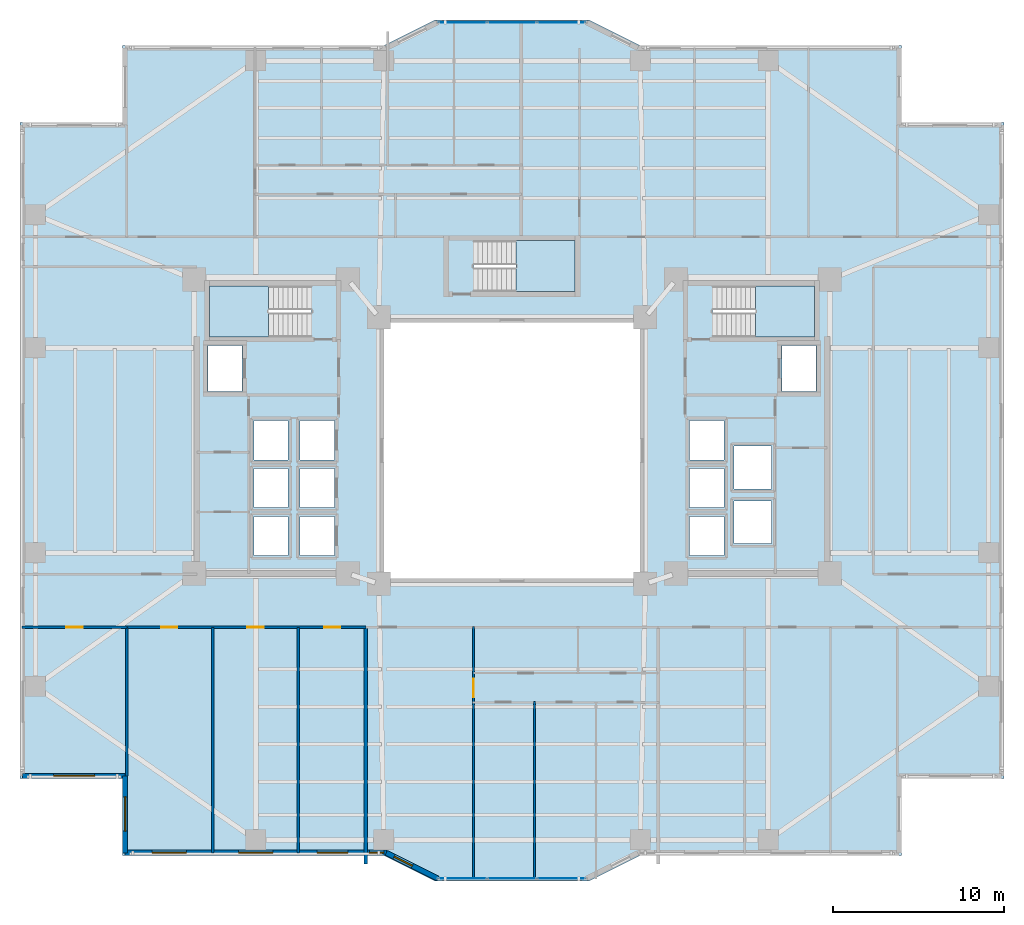
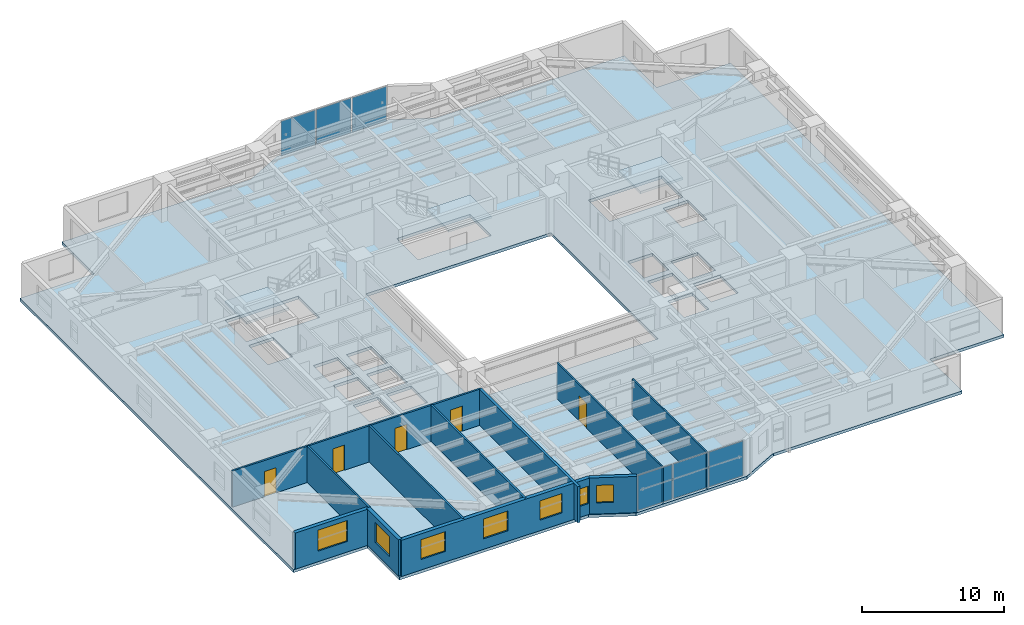
# One storey, part 9 of 19: 12 walls, 7 windows, 6 plates, 5 doors, 4 slabs, 12 openings, 5 elements without a shape of their own.
"""IFC4 building model written with IfcOpenShell, lengths in metres."""

from ifc_helpers import new_model, si_unit, direction, frame, frame_2d, origin, origin_2d, place, context, subcontext, project, spatial, polyline, rectangle, outline, extrude, material, layer, layer_set, type_object, element, fill, aggregate, save


model = new_model("IFC4")

# Units and contexts
model_context = context("Model", 3, precision=1e-05, world=origin(), true_north=direction((0.0, 1.0)))
body_context = subcontext(model_context, "Body", "Model", "MODEL_VIEW")
ifc_project = project(units=[si_unit("LENGTHUNIT", "METRE"), si_unit("AREAUNIT", "SQUARE_METRE"), si_unit("VOLUMEUNIT", "CUBIC_METRE"), si_unit("PLANEANGLEUNIT", "RADIAN"), si_unit("MASSUNIT", "GRAM", prefix="KILO")], contexts=[model_context])

# Site, building, storey
site_placement = place(None, origin())
site = spatial("IfcSite", under=ifc_project, at=site_placement, CompositionType="ELEMENT")
building_placement = place(site_placement, origin())
building = spatial("IfcBuilding", under=site, at=building_placement, Name="Tarnavaz Court Tower", CompositionType="ELEMENT")
storey_placement = place(building_placement, frame((0.0, 0.0, 54.14990234375)))
storey = spatial("IfcBuildingStorey", under=building, at=storey_placement, Name="L14", CompositionType="ELEMENT", Elevation=54.14990234375)

# Curtain wall, plates
ifc_material_1 = material(Name="Anodised Aluminium 6063-T6 and Solar Low-E Glazing", Category="aluminium")
ifc_layer_1 = layer(ifc_material_1, 0.179931640625)
ifc_layer_set_1 = layer_set([ifc_layer_1], Name="Anodised Aluminium 6063-T6 and Solar Low-E Glazing")
curtain_wall_type = type_object("IfcCurtainWallType", Name="CW-SYS-02", PredefinedType="NOTDEFINED", material=ifc_layer_set_1)
curtain_wall_1_placement = place(storey_placement, origin())
curtain_wall_1 = element("IfcCurtainWall", 1, at=curtain_wall_1_placement, inside=storey, type_object=curtain_wall_type, Name="L14 Iwan Prow Curtain Wall 7", PredefinedType="NOTDEFINED")
ifc_material_2 = material(Name="Double-Glazed Solar Low-E Glass", Category="glass")
ifc_layer_2 = layer(ifc_material_2, 0.028076171875)
ifc_layer_set_2 = layer_set([ifc_layer_2], Name="Double-Glazed Solar Low-E Glass")
plate_type = type_object("IfcPlateType", Name="CW-PAN-GLZ28", PredefinedType="CURTAIN_PANEL", material=ifc_layer_set_2)
plate_1_placement = place(storey_placement, frame((-2.88134765625, 25.050048828125, 0.06494140625), z_axis=(0.0, 0.0, 1.0), x_axis=(1.0, 0.0, 0.0)))
plate_1 = element("IfcPlate", 2, at=plate_1_placement, type_object=plate_type, Name="CW panel 1.1", PredefinedType="CURTAIN_PANEL", context=body_context, shape_type="SweptSolid", body=[
    extrude(rectangle(XDim=2.78759765625, YDim=0.028076171875, at=origin_2d()), origin(), (0.0, 0.0, 1.0), 2.969970703125),
])
plate_2_placement = place(storey_placement, frame((0.0, 25.050048828125, 0.06494140625), z_axis=(0.0, 0.0, 1.0), x_axis=(1.0, 0.0, 0.0)))
plate_2 = element("IfcPlate", 3, at=plate_2_placement, type_object=plate_type, Name="CW panel 2.1", PredefinedType="CURTAIN_PANEL", context=body_context, shape_type="SweptSolid", body=[
    extrude(rectangle(XDim=2.824951171875, YDim=0.028076171875, at=origin_2d()), origin(), (0.0, 0.0, 1.0), 2.969970703125),
])
plate_3_placement = place(storey_placement, frame((2.88134765625, 25.050048828125, 0.06494140625), z_axis=(0.0, 0.0, 1.0), x_axis=(1.0, 0.0, 0.0)))
plate_3 = element("IfcPlate", 4, at=plate_3_placement, type_object=plate_type, Name="CW panel 3.1", PredefinedType="CURTAIN_PANEL", context=body_context, shape_type="SweptSolid", body=[
    extrude(rectangle(XDim=2.78759765625, YDim=0.028076171875, at=origin_2d()), origin(), (0.0, 0.0, 1.0), 2.969970703125),
])
aggregate(curtain_wall_1, [plate_1, plate_2, plate_3])

curtain_wall_2_placement = place(storey_placement, origin())
curtain_wall_2 = element("IfcCurtainWall", 5, at=curtain_wall_2_placement, inside=storey, type_object=curtain_wall_type, Name="L14 Iwan Prow Curtain Wall 17", PredefinedType="NOTDEFINED")
plate_4_placement = place(storey_placement, frame((2.88134765625, -25.050048828125, 0.06494140625), z_axis=(0.0, 0.0, 1.0), x_axis=(-1.0, 0.0, 0.0)))
plate_4 = element("IfcPlate", 6, at=plate_4_placement, type_object=plate_type, Name="CW panel 1.1", PredefinedType="CURTAIN_PANEL", context=body_context, shape_type="SweptSolid", body=[
    extrude(rectangle(XDim=2.78759765625, YDim=0.028076171875, at=origin_2d()), origin(), (0.0, 0.0, 1.0), 2.969970703125),
])
plate_5_placement = place(storey_placement, frame((0.0, -25.050048828125, 0.06494140625), z_axis=(0.0, 0.0, 1.0), x_axis=(-1.0, 0.0, 0.0)))
plate_5 = element("IfcPlate", 7, at=plate_5_placement, type_object=plate_type, Name="CW panel 2.1", PredefinedType="CURTAIN_PANEL", context=body_context, shape_type="SweptSolid", body=[
    extrude(rectangle(XDim=2.824951171875, YDim=0.028076171875, at=origin_2d()), origin(), (0.0, 0.0, 1.0), 2.969970703125),
])
plate_6_placement = place(storey_placement, frame((-2.88134765625, -25.050048828125, 0.06494140625), z_axis=(0.0, 0.0, 1.0), x_axis=(-1.0, 0.0, 0.0)))
plate_6 = element("IfcPlate", 8, at=plate_6_placement, type_object=plate_type, Name="CW panel 3.1", PredefinedType="CURTAIN_PANEL", context=body_context, shape_type="SweptSolid", body=[
    extrude(rectangle(XDim=2.78759765625, YDim=0.028076171875, at=origin_2d()), origin(), (0.0, 0.0, 1.0), 2.969970703125),
])
aggregate(curtain_wall_2, [plate_4, plate_5, plate_6])

# Stair, slab
ifc_material_3 = material(Name="Concrete C40/50", Category="concrete")
stair_type = type_object("IfcStairType", Name="ST-TWR-20R", PredefinedType="HALF_TURN_STAIR", material=ifc_material_3)
stair_1_placement = place(storey_placement, origin())
stair_1 = element("IfcStair", 9, at=stair_1_placement, inside=storey, type_object=stair_type, Name="L14 West Core Pressurized Exit Stair ST-W1", PredefinedType="HALF_TURN_STAIR")
ifc_layer_3 = layer(ifc_material_3, 0.199951171875)
ifc_layer_set_3 = layer_set([ifc_layer_3], Name="Concrete C40/50")
slab_type_1 = type_object("IfcSlabType", Name="SL-LAND-200", PredefinedType="LANDING", material=ifc_layer_set_3)
slab_1_placement = place(storey_placement, frame((0.0, 0.0, 1.47509765625)))
slab_1 = element("IfcSlab", 10, at=slab_1_placement, type_object=slab_type_1, Name="ST-W1 landing 1", PredefinedType="LANDING", context=body_context, shape_type="SweptSolid", body=[
    extrude(outline(polyline([(-14.239990234375, 9.639892578125), (-17.699951171875, 9.639892578125), (-17.699951171875, 6.64990234375), (-14.239990234375, 6.64990234375), (-14.239990234375, 9.639892578125)])), origin(), (0.0, 0.0, 1.0), 0.199951171875),
])
aggregate(stair_1, [slab_1])

stair_2_placement = place(storey_placement, origin())
stair_2 = element("IfcStair", 11, at=stair_2_placement, inside=storey, type_object=stair_type, Name="L14 East Core Pressurized Exit Stair ST-E1", PredefinedType="HALF_TURN_STAIR")
slab_2_placement = place(storey_placement, frame((0.0, 0.0, 1.47509765625)))
slab_2 = element("IfcSlab", 12, at=slab_2_placement, type_object=slab_type_1, Name="ST-E1 landing 1", PredefinedType="LANDING", context=body_context, shape_type="SweptSolid", body=[
    extrude(outline(polyline([(14.239990234375, 6.64990234375), (17.699951171875, 6.64990234375), (17.699951171875, 9.639892578125), (14.239990234375, 9.639892578125), (14.239990234375, 6.64990234375)])), origin(), (0.0, 0.0, 1.0), 0.199951171875),
])
aggregate(stair_2, [slab_2])

stair_3_placement = place(storey_placement, origin())
stair_3 = element("IfcStair", 13, at=stair_3_placement, inside=storey, type_object=stair_type, Name="L14 North Ring Pressurized Exit Stair ST-N1", PredefinedType="HALF_TURN_STAIR")
slab_3_placement = place(storey_placement, frame((0.0, 0.0, 1.47509765625)))
slab_3 = element("IfcSlab", 14, at=slab_3_placement, type_object=slab_type_1, Name="ST-N1 landing 1", PredefinedType="LANDING", context=body_context, shape_type="SweptSolid", body=[
    extrude(outline(polyline([(0.239990234375, 9.300048828125), (3.699951171875, 9.300048828125), (3.699951171875, 12.2900390625), (0.239990234375, 12.2900390625), (0.239990234375, 9.300048828125)])), origin(), (0.0, 0.0, 1.0), 0.199951171875),
])
aggregate(stair_3, [slab_3])

# Slab
ifc_layer_4 = layer(ifc_material_3, 0.25)
ifc_layer_set_4 = layer_set([ifc_layer_4], Name="Concrete C40/50")
slab_type_2 = type_object("IfcSlabType", Name="SL-RES-250", PredefinedType="FLOOR", material=ifc_layer_set_4)
slab_4_placement = place(storey_placement, frame((0.0, 0.0, -0.25)))
element("IfcSlab", 15, at=slab_4_placement, inside=storey, type_object=slab_type_2, Name="L14 Structural Floor Slab", PredefinedType="FLOOR", context=body_context, shape_type="SweptSolid", body=[
    extrude(outline(polyline([(-22.800048828125, -23.699951171875), (-7.5, -23.699951171875), (-4.5, -25.199951171875), (4.5, -25.199951171875), (7.5, -23.699951171875), (22.800048828125, -23.699951171875), (22.800048828125, -19.199951171875), (28.800048828125, -19.199951171875), (28.800048828125, 19.199951171875), (22.800048828125, 19.199951171875), (22.800048828125, 23.699951171875), (7.5, 23.699951171875), (4.5, 25.199951171875), (-4.5, 25.199951171875), (-7.5, 23.699951171875), (-22.800048828125, 23.699951171875), (-22.800048828125, 19.199951171875), (-28.800048828125, 19.199951171875), (-28.800048828125, -19.199951171875), (-22.800048828125, -19.199951171875), (-22.800048828125, -23.699951171875)]), holes=[polyline([(-7.5, -7.5), (7.5, -7.5), (7.5, 7.5), (-7.5, 7.5), (-7.5, -7.5)]), polyline([(-11.7451171875, 9.639892578125), (-17.699951171875, 9.639892578125), (-17.699951171875, 6.64990234375), (-11.7451171875, 6.64990234375), (-11.7451171875, 9.639892578125)]), polyline([(11.7451171875, 6.64990234375), (17.699951171875, 6.64990234375), (17.699951171875, 9.639892578125), (11.7451171875, 9.639892578125), (11.7451171875, 6.64990234375)]), polyline([(-2.2548828125, 9.300048828125), (3.699951171875, 9.300048828125), (3.699951171875, 12.2900390625), (-2.2548828125, 12.2900390625), (-2.2548828125, 9.300048828125)]), polyline([(-17.800048828125, 3.449951171875), (-15.800048828125, 3.449951171875), (-15.800048828125, 6.14990234375), (-17.800048828125, 6.14990234375), (-17.800048828125, 3.449951171875)]), polyline([(-12.39990234375, -6.14990234375), (-10.39990234375, -6.14990234375), (-10.39990234375, -3.85009765625), (-12.39990234375, -3.85009765625), (-12.39990234375, -6.14990234375)]), polyline([(-12.39990234375, -3.35009765625), (-10.39990234375, -3.35009765625), (-10.39990234375, -1.050048828125), (-12.39990234375, -1.050048828125), (-12.39990234375, -3.35009765625)]), polyline([(-12.39990234375, -0.550048828125), (-10.39990234375, -0.550048828125), (-10.39990234375, 1.75), (-12.39990234375, 1.75), (-12.39990234375, -0.550048828125)]), polyline([(-15.10009765625, -6.14990234375), (-13.10009765625, -6.14990234375), (-13.10009765625, -3.85009765625), (-15.10009765625, -3.85009765625), (-15.10009765625, -6.14990234375)]), polyline([(-15.10009765625, -3.35009765625), (-13.10009765625, -3.35009765625), (-13.10009765625, -1.050048828125), (-15.10009765625, -1.050048828125), (-15.10009765625, -3.35009765625)]), polyline([(-15.10009765625, -0.550048828125), (-13.10009765625, -0.550048828125), (-13.10009765625, 1.75), (-15.10009765625, 1.75), (-15.10009765625, -0.550048828125)]), polyline([(15.800048828125, 3.449951171875), (17.800048828125, 3.449951171875), (17.800048828125, 6.14990234375), (15.800048828125, 6.14990234375), (15.800048828125, 3.449951171875)]), polyline([(10.39990234375, -6.14990234375), (12.39990234375, -6.14990234375), (12.39990234375, -3.85009765625), (10.39990234375, -3.85009765625), (10.39990234375, -6.14990234375)]), polyline([(10.39990234375, -3.35009765625), (12.39990234375, -3.35009765625), (12.39990234375, -1.050048828125), (10.39990234375, -1.050048828125), (10.39990234375, -3.35009765625)]), polyline([(10.39990234375, -0.550048828125), (12.39990234375, -0.550048828125), (12.39990234375, 1.75), (10.39990234375, 1.75), (10.39990234375, -0.550048828125)]), polyline([(13.0, -5.449951171875), (15.199951171875, -5.449951171875), (15.199951171875, -2.949951171875), (13.0, -2.949951171875), (13.0, -5.449951171875)]), polyline([(13.0, -2.25), (15.199951171875, -2.25), (15.199951171875, 0.25), (13.0, 0.25), (13.0, -2.25)])]), origin(), (0.0, 0.0, 1.0), 0.25),
])

# Wall, opening, window
ifc_material_4 = material(Name="Precast Concrete C40/50", Category="concrete")
ifc_layer_5 = layer(ifc_material_4, 0.300048828125)
ifc_layer_set_5 = layer_set([ifc_layer_5], Name="Precast Concrete C40/50")
wall_type_1 = type_object("IfcWallType", Name="WL-EXT-300", PredefinedType="SOLIDWALL", material=ifc_layer_set_5)
wall_1_placement = place(storey_placement, frame((-22.64990234375, -19.050048828125, 0.0), z_axis=(0.0, 0.0, 1.0), x_axis=(-1.0, 0.0, 0.0)))
wall_1 = element("IfcWall", 16, at=wall_1_placement, inside=storey, type_object=wall_type_1, Name="L14 Exterior Terracotta Facade Wall 01", PredefinedType="SOLIDWALL", context=body_context, shape_type="SweptSolid", body=[
    extrude(rectangle(XDim=6.0, YDim=0.300048828125, at=frame_2d((3.0, 0.0))), origin(), (0.0, 0.0, 1.0), 3.10009765625),
])
opening_1_placement = place(wall_1_placement, frame((1.77490234375, 0.0, 0.89990234375)))
opening_1 = element("IfcOpeningElement", 17, at=opening_1_placement, cuts=wall_1, Name="Opening W06", PredefinedType="OPENING", context=body_context, shape_type="SweptSolid", body=[
    extrude(rectangle(XDim=2.39990234375, YDim=1.800048828125, at=frame_2d((1.199951171875, 0.89990234375))), frame((0.0, 0.159912109375, 0.0), z_axis=(0.0, -1.0, 0.0), x_axis=(1.0, 0.0, 0.0)), (0.0, 0.0, 1.0), 0.320068359375),
])
window_type_1 = type_object("IfcWindowType", Name="WN-APT-2400", PartitioningType="TRIPLE_PANEL_VERTICAL", PredefinedType="WINDOW", material=ifc_material_2)
window_1_placement = place(opening_1_placement, origin())
window_1 = element("IfcWindow", 18, at=window_1_placement, inside=storey, type_object=window_type_1, Name="L14 South-West Corner Reading Room Window", OverallHeight=1.800048828125, OverallWidth=2.39990234375, PartitioningType="SINGLE_PANEL", PredefinedType="WINDOW", context=body_context, shape_type="SweptSolid", body=[
    extrude(rectangle(XDim=2.39990234375, YDim=1.800048828125, at=frame_2d((1.199951171875, 0.89990234375))), frame((0.0, 0.030029296875, 0.0), z_axis=(0.0, -1.0, 0.0), x_axis=(1.0, 0.0, 0.0)), (0.0, 0.0, 1.0), 0.06005859375),
])
fill(opening_1, window_1)

wall_2_placement = place(storey_placement, frame((-4.35009765625, -25.050048828125, 0.0), z_axis=(0.0, 0.0, 1.0), x_axis=(-0.894427191, 0.4472135955, 0.0)))
wall_2 = element("IfcWall", 19, at=wall_2_placement, inside=storey, type_object=wall_type_1, Name="L14 Exterior Terracotta Facade Wall 18", PredefinedType="SOLIDWALL", context=body_context, shape_type="SweptSolid", body=[
    extrude(rectangle(XDim=3.35400390625, YDim=0.300048828125, at=frame_2d((1.677001953125, 0.0))), origin(), (0.0, 0.0, 1.0), 3.10009765625),
])
opening_2_placement = place(wall_2_placement, frame((1.65283203125, 0.0, 0.949951171875)))
opening_2 = element("IfcOpeningElement", 20, at=opening_2_placement, cuts=wall_2, Name="Opening W05", PredefinedType="OPENING", context=body_context, shape_type="SweptSolid", body=[
    extrude(rectangle(XDim=1.199951171875, YDim=1.5, at=frame_2d((0.60009765625, 0.75))), frame((0.0, 0.159912109375, 0.0), z_axis=(0.0, -1.0, 0.0), x_axis=(1.0, 0.0, 0.0)), (0.0, 0.0, 1.0), 0.320068359375),
])
window_type_2 = type_object("IfcWindowType", Name="WN-APT-1200", PartitioningType="SINGLE_PANEL", PredefinedType="WINDOW", material=ifc_material_2)
window_2_placement = place(opening_2_placement, origin())
window_2 = element("IfcWindow", 21, at=window_2_placement, inside=storey, type_object=window_type_2, Name="L14 Flat 02 Living and Dining Room Window", OverallHeight=1.5, OverallWidth=1.199951171875, PartitioningType="SINGLE_PANEL", PredefinedType="WINDOW", context=body_context, shape_type="SweptSolid", body=[
    extrude(rectangle(XDim=1.199951171875, YDim=1.5, at=frame_2d((0.60009765625, 0.75))), frame((0.0, 0.030029296875, 0.0), z_axis=(0.0, -1.0, 0.0), x_axis=(1.0, 0.0, 0.0)), (0.0, 0.0, 1.0), 0.06005859375),
])
fill(opening_2, window_2)

# Wall, openings, windows
wall_3_placement = place(storey_placement, frame((-7.35009765625, -23.550048828125, 0.0), z_axis=(0.0, 0.0, 1.0), x_axis=(-1.0, 0.0, 0.0)))
wall_3 = element("IfcWall", 22, at=wall_3_placement, inside=storey, type_object=wall_type_1, Name="L14 Exterior Terracotta Facade Wall 19", PredefinedType="SOLIDWALL", context=body_context, shape_type="SweptSolid", body=[
    extrude(rectangle(XDim=15.2998046875, YDim=0.300048828125, at=frame_2d((7.64990234375, 0.0))), origin(), (0.0, 0.0, 1.0), 3.10009765625),
])
opening_3_placement = place(wall_3_placement, frame((0.146728515625, 0.0, 0.949951171875)))
opening_3 = element("IfcOpeningElement", 23, at=opening_3_placement, cuts=wall_3, Name="Opening W15", PredefinedType="OPENING", context=body_context, shape_type="SweptSolid", body=[
    extrude(rectangle(XDim=0.85009765625, YDim=1.5, at=frame_2d((0.425048828125, 0.75))), frame((0.0, 0.159912109375, 0.0), z_axis=(0.0, -1.0, 0.0), x_axis=(1.0, 0.0, 0.0)), (0.0, 0.0, 1.0), 0.320068359375),
])
opening_4_placement = place(wall_3_placement, frame((2.26025390625, 0.0, 0.89990234375)))
opening_4 = element("IfcOpeningElement", 24, at=opening_4_placement, cuts=wall_3, Name="Opening W01", PredefinedType="OPENING", context=body_context, shape_type="SweptSolid", body=[
    extrude(rectangle(XDim=1.800048828125, YDim=1.64990234375, at=frame_2d((0.89990234375, 0.824951171875))), frame((0.0, 0.159912109375, 0.0), z_axis=(0.0, -1.0, 0.0), x_axis=(1.0, 0.0, 0.0)), (0.0, 0.0, 1.0), 0.320068359375),
])
opening_5_placement = place(wall_3_placement, frame((6.64990234375, 0.0, 0.89990234375)))
opening_5 = element("IfcOpeningElement", 25, at=opening_5_placement, cuts=wall_3, Name="Opening W08", PredefinedType="OPENING", context=body_context, shape_type="SweptSolid", body=[
    extrude(rectangle(XDim=2.0, YDim=1.699951171875, at=frame_2d((1.0, 0.85009765625))), frame((0.0, 0.159912109375, 0.0), z_axis=(0.0, -1.0, 0.0), x_axis=(1.0, 0.0, 0.0)), (0.0, 0.0, 1.0), 0.320068359375),
])
opening_6_placement = place(wall_3_placement, frame((11.716552734375, 0.0, 0.89990234375)))
opening_6 = element("IfcOpeningElement", 26, at=opening_6_placement, cuts=wall_3, Name="Opening W08", PredefinedType="OPENING", context=body_context, shape_type="SweptSolid", body=[
    extrude(rectangle(XDim=2.0, YDim=1.699951171875, at=frame_2d((1.0, 0.85009765625))), frame((0.0, 0.159912109375, 0.0), z_axis=(0.0, -1.0, 0.0), x_axis=(1.0, 0.0, 0.0)), (0.0, 0.0, 1.0), 0.320068359375),
])
window_type_3 = type_object("IfcWindowType", Name="WN-APT-1800", PartitioningType="DOUBLE_PANEL_VERTICAL", PredefinedType="WINDOW", material=ifc_material_2)
window_3_placement = place(opening_4_placement, origin())
window_3 = element("IfcWindow", 27, at=window_3_placement, inside=storey, type_object=window_type_3, Name="L14 Shared Community Tea Pantry Window", OverallHeight=1.64990234375, OverallWidth=1.800048828125, PartitioningType="SINGLE_PANEL", PredefinedType="WINDOW", context=body_context, shape_type="SweptSolid", body=[
    extrude(rectangle(XDim=1.800048828125, YDim=1.64990234375, at=frame_2d((0.89990234375, 0.824951171875))), frame((0.0, 0.030029296875, 0.0), z_axis=(0.0, -1.0, 0.0), x_axis=(1.0, 0.0, 0.0)), (0.0, 0.0, 1.0), 0.06005859375),
])
fill(opening_4, window_3)
window_type_4 = type_object("IfcWindowType", Name="WN-APT-2000", PartitioningType="DOUBLE_PANEL_VERTICAL", PredefinedType="WINDOW", material=ifc_material_2)
window_4_placement = place(opening_5_placement, origin())
window_4 = element("IfcWindow", 28, at=window_4_placement, inside=storey, type_object=window_type_4, Name="L14 Children Playroom and Daycare Window", OverallHeight=1.699951171875, OverallWidth=2.0, PartitioningType="SINGLE_PANEL", PredefinedType="WINDOW", context=body_context, shape_type="SweptSolid", body=[
    extrude(rectangle(XDim=2.0, YDim=1.699951171875, at=frame_2d((1.0, 0.85009765625))), frame((0.0, 0.030029296875, 0.0), z_axis=(0.0, -1.0, 0.0), x_axis=(1.0, 0.0, 0.0)), (0.0, 0.0, 1.0), 0.06005859375),
])
fill(opening_5, window_4)
window_5_placement = place(opening_6_placement, origin())
window_5 = element("IfcWindow", 29, at=window_5_placement, inside=storey, type_object=window_type_4, Name="L14 Resident Fitness and Yoga Studio Window", OverallHeight=1.699951171875, OverallWidth=2.0, PartitioningType="SINGLE_PANEL", PredefinedType="WINDOW", context=body_context, shape_type="SweptSolid", body=[
    extrude(rectangle(XDim=2.0, YDim=1.699951171875, at=frame_2d((1.0, 0.85009765625))), frame((0.0, 0.030029296875, 0.0), z_axis=(0.0, -1.0, 0.0), x_axis=(1.0, 0.0, 0.0)), (0.0, 0.0, 1.0), 0.06005859375),
])
fill(opening_6, window_5)
window_type_5 = type_object("IfcWindowType", Name="WN-APT-850", PartitioningType="SINGLE_PANEL", PredefinedType="WINDOW", material=ifc_material_2)
window_6_placement = place(opening_3_placement, origin())
window_6 = element("IfcWindow", 30, at=window_6_placement, inside=storey, type_object=window_type_5, Name="L14 Flat 02 Living and Dining Room Window", OverallHeight=1.5, OverallWidth=0.85009765625, PartitioningType="SINGLE_PANEL", PredefinedType="WINDOW", context=body_context, shape_type="SweptSolid", body=[
    extrude(rectangle(XDim=0.85009765625, YDim=1.5, at=frame_2d((0.425048828125, 0.75))), frame((0.0, 0.030029296875, 0.0), z_axis=(0.0, -1.0, 0.0), x_axis=(1.0, 0.0, 0.0)), (0.0, 0.0, 1.0), 0.06005859375),
])
fill(opening_3, window_6)

# Wall, opening, window
wall_4_placement = place(storey_placement, frame((-22.64990234375, -23.550048828125, 0.0), z_axis=(0.0, 0.0, 1.0), x_axis=(0.0, 1.0, 0.0)))
wall_4 = element("IfcWall", 31, at=wall_4_placement, inside=storey, type_object=wall_type_1, Name="L14 Exterior Terracotta Facade Wall 20", PredefinedType="SOLIDWALL", context=body_context, shape_type="SweptSolid", body=[
    extrude(rectangle(XDim=4.5, YDim=0.300048828125, at=frame_2d((2.25, 0.0))), origin(), (0.0, 0.0, 1.0), 3.10009765625),
])
opening_7_placement = place(wall_4_placement, frame((1.267578125, 0.0, 0.89990234375)))
opening_7 = element("IfcOpeningElement", 32, at=opening_7_placement, cuts=wall_4, Name="Opening W08", PredefinedType="OPENING", context=body_context, shape_type="SweptSolid", body=[
    extrude(rectangle(XDim=2.0, YDim=1.699951171875, at=frame_2d((1.0, 0.85009765625))), frame((0.0, 0.159912109375, 0.0), z_axis=(0.0, -1.0, 0.0), x_axis=(1.0, 0.0, 0.0)), (0.0, 0.0, 1.0), 0.320068359375),
])
window_7_placement = place(opening_7_placement, origin())
window_7 = element("IfcWindow", 33, at=window_7_placement, inside=storey, type_object=window_type_4, Name="L14 Resident Fitness and Yoga Studio Window", OverallHeight=1.699951171875, OverallWidth=2.0, PartitioningType="SINGLE_PANEL", PredefinedType="WINDOW", context=body_context, shape_type="SweptSolid", body=[
    extrude(rectangle(XDim=2.0, YDim=1.699951171875, at=frame_2d((1.0, 0.85009765625))), frame((0.0, 0.030029296875, 0.0), z_axis=(0.0, -1.0, 0.0), x_axis=(1.0, 0.0, 0.0)), (0.0, 0.0, 1.0), 0.06005859375),
])
fill(opening_7, window_7)

# Wall, openings, doors
ifc_material_5 = material(Name="Gypsum Fire-Board on Acoustic Metal Stud", Category="masonry")
ifc_layer_6 = layer(ifc_material_5, 0.14990234375)
ifc_layer_set_6 = layer_set([ifc_layer_6], Name="Gypsum Fire-Board on Acoustic Metal Stud")
wall_type_2 = type_object("IfcWallType", Name="WL-FIRE-150", PredefinedType="PARTITIONING", material=ifc_layer_set_6)
wall_5_placement = place(storey_placement, frame((-22.550048828125, -10.35009765625, 0.0), z_axis=(0.0, 0.0, 1.0), x_axis=(1.0, 0.0, 0.0)))
wall_5 = element("IfcWall", 34, at=wall_5_placement, inside=storey, type_object=wall_type_2, Name="L14 SW Corridor Wall 085", PredefinedType="PARTITIONING", context=body_context, shape_type="SweptSolid", body=[
    extrude(rectangle(XDim=14.0, YDim=0.14990234375, at=frame_2d((7.0, 0.0))), origin(), (0.0, 0.0, 1.0), 3.10009765625),
])
opening_8_placement = place(wall_5_placement, frame((2.006103515625, 0.0, 0.0)))
opening_8 = element("IfcOpeningElement", 35, at=opening_8_placement, cuts=wall_5, Name="Opening D13", PredefinedType="OPENING", context=body_context, shape_type="SweptSolid", body=[
    extrude(rectangle(XDim=0.949951171875, YDim=2.14990234375, at=frame_2d((0.47509765625, 1.074951171875))), frame((0.0, 0.0849609375, 0.0), z_axis=(0.0, -1.0, 0.0), x_axis=(1.0, 0.0, 0.0)), (0.0, 0.0, 1.0), 0.169921875),
])
opening_9_placement = place(wall_5_placement, frame((7.05810546875, 0.0, 0.0)))
opening_9 = element("IfcOpeningElement", 36, at=opening_9_placement, cuts=wall_5, Name="Opening D13", PredefinedType="OPENING", context=body_context, shape_type="SweptSolid", body=[
    extrude(rectangle(XDim=0.949951171875, YDim=2.14990234375, at=frame_2d((0.47509765625, 1.074951171875))), frame((0.0, 0.0849609375, 0.0), z_axis=(0.0, -1.0, 0.0), x_axis=(1.0, 0.0, 0.0)), (0.0, 0.0, 1.0), 0.169921875),
])
opening_10_placement = place(wall_5_placement, frame((11.552001953125, 0.0, 0.0)))
opening_10 = element("IfcOpeningElement", 37, at=opening_10_placement, cuts=wall_5, Name="Opening D13", PredefinedType="OPENING", context=body_context, shape_type="SweptSolid", body=[
    extrude(rectangle(XDim=0.949951171875, YDim=2.14990234375, at=frame_2d((0.47509765625, 1.074951171875))), frame((0.0, 0.0849609375, 0.0), z_axis=(0.0, -1.0, 0.0), x_axis=(1.0, 0.0, 0.0)), (0.0, 0.0, 1.0), 0.169921875),
])
ifc_material_6 = material(Name="Engineered Oak Timber", Category="wood")
door_type_1 = type_object("IfcDoorType", Name="DR-INT-950", OperationType="NOTDEFINED", PredefinedType="DOOR", material=ifc_material_6)
door_1_placement = place(opening_8_placement, origin())
door_1 = element("IfcDoor", 38, at=door_1_placement, inside=storey, type_object=door_type_1, Name="L14 Resident Fitness and Yoga Studio Door", OperationType="SINGLE_SWING_RIGHT", OverallHeight=2.14990234375, OverallWidth=0.949951171875, PredefinedType="DOOR", context=body_context, shape_type="SweptSolid", body=[
    extrude(rectangle(XDim=0.949951171875, YDim=2.14990234375, at=frame_2d((0.47509765625, 1.074951171875))), frame((0.0, 0.02490234375, 0.0), z_axis=(0.0, -1.0, 0.0), x_axis=(1.0, 0.0, 0.0)), (0.0, 0.0, 1.0), 0.050048828125),
])
fill(opening_8, door_1)
door_2_placement = place(opening_9_placement, origin())
door_2 = element("IfcDoor", 39, at=door_2_placement, inside=storey, type_object=door_type_1, Name="L14 Children Playroom and Daycare Door", OperationType="SINGLE_SWING_LEFT", OverallHeight=2.14990234375, OverallWidth=0.949951171875, PredefinedType="DOOR", context=body_context, shape_type="SweptSolid", body=[
    extrude(rectangle(XDim=0.949951171875, YDim=2.14990234375, at=frame_2d((0.47509765625, 1.074951171875))), frame((0.0, 0.02490234375, 0.0), z_axis=(0.0, -1.0, 0.0), x_axis=(1.0, 0.0, 0.0)), (0.0, 0.0, 1.0), 0.050048828125),
])
fill(opening_9, door_2)
door_3_placement = place(opening_10_placement, origin())
door_3 = element("IfcDoor", 40, at=door_3_placement, inside=storey, type_object=door_type_1, Name="L14 Shared Community Tea Pantry Door", OperationType="SINGLE_SWING_RIGHT", OverallHeight=2.14990234375, OverallWidth=0.949951171875, PredefinedType="DOOR", context=body_context, shape_type="SweptSolid", body=[
    extrude(rectangle(XDim=0.949951171875, YDim=2.14990234375, at=frame_2d((0.47509765625, 1.074951171875))), frame((0.0, 0.02490234375, 0.0), z_axis=(0.0, -1.0, 0.0), x_axis=(1.0, 0.0, 0.0)), (0.0, 0.0, 1.0), 0.050048828125),
])
fill(opening_10, door_3)

# Wall, opening, door
wall_6_placement = place(storey_placement, frame((-28.679931640625, -10.35009765625, 0.0), z_axis=(0.0, 0.0, 1.0), x_axis=(1.0, 0.0, 0.0)))
wall_6 = element("IfcWall", 41, at=wall_6_placement, inside=storey, type_object=wall_type_2, Name="L14 Interior Partition 123", PredefinedType="PARTITIONING", context=body_context, shape_type="SweptSolid", body=[
    extrude(rectangle(XDim=6.1298828125, YDim=0.14990234375, at=frame_2d((3.06494140625, 0.0))), origin(), (0.0, 0.0, 1.0), 3.10009765625),
])
opening_11_placement = place(wall_6_placement, frame((2.590087890625, 0.0, 0.0)))
opening_11 = element("IfcOpeningElement", 42, at=opening_11_placement, cuts=wall_6, Name="Opening D13", PredefinedType="OPENING", context=body_context, shape_type="SweptSolid", body=[
    extrude(rectangle(XDim=0.949951171875, YDim=2.14990234375, at=frame_2d((0.47509765625, 1.074951171875))), frame((0.0, 0.0849609375, 0.0), z_axis=(0.0, -1.0, 0.0), x_axis=(1.0, 0.0, 0.0)), (0.0, 0.0, 1.0), 0.169921875),
])
door_4_placement = place(opening_11_placement, origin())
door_4 = element("IfcDoor", 43, at=door_4_placement, inside=storey, type_object=door_type_1, Name="L14 SW Reading Room Door", OperationType="SINGLE_SWING_LEFT", OverallHeight=2.14990234375, OverallWidth=0.949951171875, PredefinedType="DOOR", context=body_context, shape_type="SweptSolid", body=[
    extrude(rectangle(XDim=0.949951171875, YDim=2.14990234375, at=frame_2d((0.47509765625, 1.074951171875))), frame((0.0, 0.02490234375, 0.0), z_axis=(0.0, -1.0, 0.0), x_axis=(1.0, 0.0, 0.0)), (0.0, 0.0, 1.0), 0.050048828125),
])
fill(opening_11, door_4)

# Wall
ifc_material_7 = material(Name="Autoclaved Aerated Concrete Blockwork", Category="masonry")
ifc_layer_7 = layer(ifc_material_7, 0.199951171875)
ifc_layer_set_7 = layer_set([ifc_layer_7], Name="Autoclaved Aerated Concrete Blockwork")
wall_type_3 = type_object("IfcWallType", Name="WL-FIRE-200", PredefinedType="SOLIDWALL", material=ifc_layer_set_7)
wall_7_placement = place(storey_placement, frame((-8.550048828125, -24.2041015625, 0.0), z_axis=(0.0, 0.0, 1.0), x_axis=(0.0, 1.0, 0.0)))
element("IfcWall", 44, at=wall_7_placement, inside=storey, type_object=wall_type_3, Name="L14 Party Wall 104", PredefinedType="SOLIDWALL", context=body_context, shape_type="SweptSolid", body=[
    extrude(rectangle(XDim=13.85400390625, YDim=0.199951171875, at=frame_2d((6.927001953125, 0.0))), origin(), (0.0, 0.0, 1.0), 3.10009765625),
])

# Wall, opening, door
ifc_material_8 = material(Name="Moisture-Resistant Gypsum Board Partition", Category="masonry")
ifc_layer_8 = layer(ifc_material_8, 0.1201171875)
ifc_layer_set_8 = layer_set([ifc_layer_8], Name="Moisture-Resistant Gypsum Board Partition")
wall_type_4 = type_object("IfcWallType", Name="WL-PART-120", PredefinedType="PARTITIONING", material=ifc_layer_set_8)
wall_8_placement = place(storey_placement, frame((-2.25, -25.080078125, 0.0), z_axis=(0.0, 0.0, 1.0), x_axis=(0.0, 1.0, 0.0)))
wall_8 = element("IfcWall", 45, at=wall_8_placement, inside=storey, type_object=wall_type_4, Name="L14 Interior Partition 106", PredefinedType="PARTITIONING", context=body_context, shape_type="SweptSolid", body=[
    extrude(rectangle(XDim=14.7900390625, YDim=0.1201171875, at=frame_2d((7.39501953125, 0.0))), origin(), (0.0, 0.0, 1.0), 3.10009765625),
])
opening_12_placement = place(wall_8_placement, frame((10.625, 0.0, 0.0)))
opening_12 = element("IfcOpeningElement", 46, at=opening_12_placement, cuts=wall_8, Name="Opening D12", PredefinedType="OPENING", context=body_context, shape_type="SweptSolid", body=[
    extrude(rectangle(XDim=1.080078125, YDim=2.14990234375, at=frame_2d((0.5400390625, 1.074951171875))), frame((0.0, 0.070068359375, 0.0), z_axis=(0.0, -1.0, 0.0), x_axis=(1.0, 0.0, 0.0)), (0.0, 0.0, 1.0), 0.14013671875),
])
door_type_2 = type_object("IfcDoorType", Name="DR-INT-1100", OperationType="NOTDEFINED", PredefinedType="DOOR", material=ifc_material_6)
door_5_placement = place(opening_12_placement, origin())
door_5 = element("IfcDoor", 47, at=door_5_placement, inside=storey, type_object=door_type_2, Name="L14 Flat 02 Foyer Door", OperationType="SINGLE_SWING_LEFT", OverallHeight=2.14990234375, OverallWidth=1.080078125, PredefinedType="DOOR", context=body_context, shape_type="SweptSolid", body=[
    extrude(rectangle(XDim=1.080078125, YDim=2.14990234375, at=frame_2d((0.5400390625, 1.074951171875))), frame((0.0, 0.02490234375, 0.0), z_axis=(0.0, -1.0, 0.0), x_axis=(1.0, 0.0, 0.0)), (0.0, 0.0, 1.0), 0.050048828125),
])
fill(opening_12, door_5)

# Walls
wall_9_placement = place(storey_placement, frame((1.330078125, -25.080078125, 0.0), z_axis=(0.0, 0.0, 1.0), x_axis=(0.0, 1.0, 0.0)))
element("IfcWall", 48, at=wall_9_placement, inside=storey, type_object=wall_type_4, Name="L14 Interior Partition 111", PredefinedType="PARTITIONING", context=body_context, shape_type="SweptSolid", body=[
    extrude(rectangle(XDim=10.400146484375, YDim=0.1201171875, at=frame_2d((5.2001953125, 0.0))), origin(), (0.0, 0.0, 1.0), 3.10009765625),
])
ifc_material_9 = material(Name="Gypsum Plasterboard Acoustic Partition", Category="masonry")
ifc_layer_9 = layer(ifc_material_9, 0.139892578125)
ifc_layer_set_9 = layer_set([ifc_layer_9], Name="Gypsum Plasterboard Acoustic Partition")
wall_type_5 = type_object("IfcWallType", Name="WL-PART-150", PredefinedType="PARTITIONING", material=ifc_layer_set_9)
for number, where, z_axis, x_axis, name in (
    (49, (-17.528076171875, -23.550048828125, 0.0), (0.0, 0.0, 1.0), (0.0, 1.0, 0.0), "L14 Interior Partition 100"),
    (50, (-12.506103515625, -23.550048828125, 0.0), (0.0, 0.0, 1.0), (0.0, 1.0, 0.0), "L14 Interior Partition 101"),
):
    element("IfcWall", number, at=place(storey_placement, frame(where, z_axis=z_axis, x_axis=x_axis)), inside=storey, type_object=wall_type_5, Name=name, PredefinedType="PARTITIONING", context=body_context, shape_type="SweptSolid", body=[
        extrude(rectangle(XDim=13.199951171875, YDim=0.139892578125, at=frame_2d((6.60009765625, 0.0))), origin(), (0.0, 0.0, 1.0), 3.10009765625),
    ])
wall_10_placement = place(storey_placement, frame((-22.550048828125, -19.050048828125, 0.0), z_axis=(0.0, 0.0, 1.0), x_axis=(0.0, 1.0, 0.0)))
element("IfcWall", 51, at=wall_10_placement, inside=storey, type_object=wall_type_5, Name="L14 Interior Partition 117", PredefinedType="PARTITIONING", context=body_context, shape_type="SweptSolid", body=[
    extrude(rectangle(XDim=8.699951171875, YDim=0.139892578125, at=frame_2d((4.35009765625, 0.0))), origin(), (0.0, 0.0, 1.0), 3.10009765625),
])

save(model, "model.ifc")
